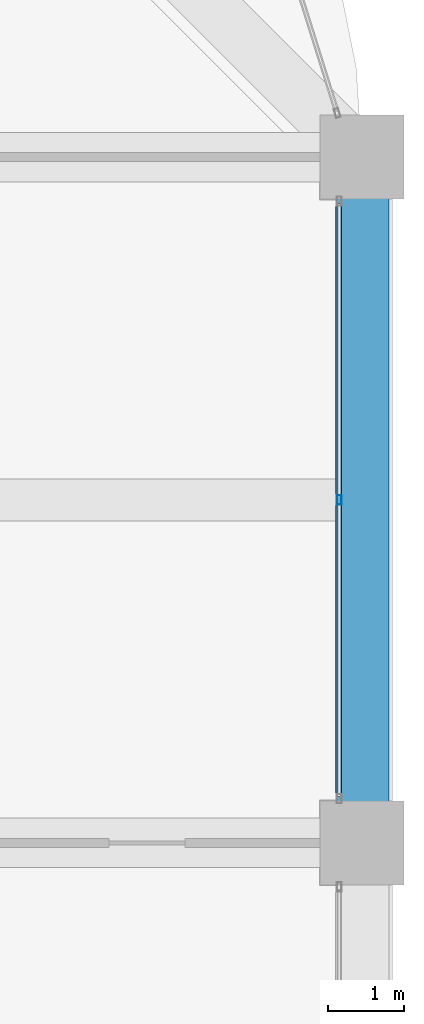
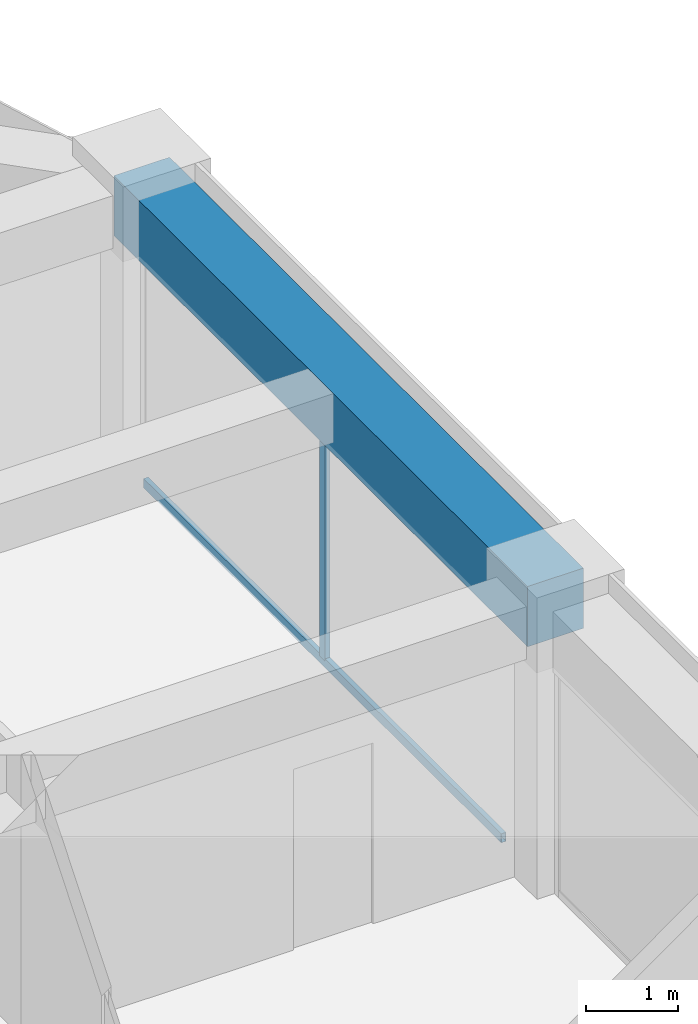
# One storey, part 27 of 45: 2 members, 1 beam, 1 element without a shape of its own.
"""IFC4 building model written with IfcOpenShell, lengths in metres."""

from ifc_helpers import new_model, si_unit, direction, frame, origin, origin_2d, place, context, subcontext, project, spatial, rectangle, hollow_rectangle, extrude, material, material_profile, profile_set, type_object, element, aggregate, save


model = new_model("IFC4")

# Units and contexts
model_context = context("Model", 3, precision=1e-05, world=origin(), true_north=direction((0.0, 1.0)))
body_context = subcontext(model_context, "Body", "Model", "MODEL_VIEW")
ifc_project = project(units=[si_unit("LENGTHUNIT", "METRE"), si_unit("AREAUNIT", "SQUARE_METRE"), si_unit("VOLUMEUNIT", "CUBIC_METRE"), si_unit("PLANEANGLEUNIT", "RADIAN"), si_unit("MASSUNIT", "GRAM", prefix="KILO")], contexts=[model_context])

# Site, building, storey
site_placement = place(None, origin())
site = spatial("IfcSite", under=ifc_project, at=site_placement, CompositionType="ELEMENT")
building_placement = place(site_placement, origin())
building = spatial("IfcBuilding", under=site, at=building_placement, Name="Zorevar Civic Tower", CompositionType="ELEMENT")
storey_placement = place(building_placement, frame((0.0, 0.0, 303.39990234375)))
storey = spatial("IfcBuildingStorey", under=building, at=storey_placement, Name="L74", CompositionType="ELEMENT", Elevation=303.39990234375)

# Curtain wall, members
ifc_material_1 = material(Name="Dark grey solar-control glass in black aluminium frame", Category="aluminium")
curtain_wall_type = type_object("IfcCurtainWallType", Name="Curtain wall CW5 top zone", PredefinedType="NOTDEFINED", material=ifc_material_1)
curtain_wall_placement = place(storey_placement, origin())
curtain_wall = element("IfcCurtainWall", 1, at=curtain_wall_placement, inside=storey, type_object=curtain_wall_type, Name="CW5 L74", PredefinedType="NOTDEFINED")
ifc_material_2 = material(Name="Aluminium, black anodised", Category="aluminium")
ifc_material_profile_1 = material_profile(ifc_material_2, hollow_rectangle(XDim=0.06005859375, YDim=0.1201171875, WallThickness=0.0029296875, at=origin_2d()), Name="AL 120x60x3")
ifc_profile_set_1 = profile_set([ifc_material_profile_1], Name="Aluminium, black anodised")
member_type_1 = type_object("IfcMemberType", Name="CW5 mullion AL 120x60x3", PredefinedType="MULLION", material=ifc_profile_set_1)
member_1_placement = place(storey_placement, frame((53.699951171875, 31.5, 0.06005859375), z_axis=(0.0, 0.0, 1.0), x_axis=(-1.0, 0.0, 0.0)))
member_1 = element("IfcMember", 2, at=member_1_placement, type_object=member_type_1, Name="CW5 mullion 2", PredefinedType="MULLION", context=body_context, shape_type="SweptSolid", body=[
    extrude(hollow_rectangle(XDim=0.06005859375, YDim=0.1201171875, WallThickness=0.0029296875, at=origin_2d()), origin(), (0.0, 0.0, 1.0), 2.89013671875),
])
ifc_material_3 = material(Name="Aluminium, black anodised", Category="aluminium")
ifc_material_profile_2 = material_profile(ifc_material_3, hollow_rectangle(XDim=0.06005859375, YDim=0.1201171875, WallThickness=0.0029296875, at=origin_2d()), Name="AL 120x60x3")
ifc_profile_set_2 = profile_set([ifc_material_profile_2], Name="Aluminium, black anodised")
member_type_2 = type_object("IfcMemberType", Name="CW5 transom AL 120x60x3", PredefinedType="USERDEFINED", material=ifc_profile_set_2)
member_2_placement = place(storey_placement, frame((53.699951171875, 27.610107421875, 0.030029296875), z_axis=(0.0, 1.0, 0.0), x_axis=(-1.0, 0.0, 0.0)))
member_2 = element("IfcMember", 3, at=member_2_placement, type_object=member_type_2, Name="CW5 sill transom", ObjectType="TRANSOM", PredefinedType="USERDEFINED", context=body_context, shape_type="SweptSolid", body=[
    extrude(hollow_rectangle(XDim=0.06005859375, YDim=0.1201171875, WallThickness=0.0029296875, at=origin_2d()), origin(), (0.0, 0.0, 1.0), 7.77978515625),
])
aggregate(curtain_wall, [member_1, member_2])

# Beam
ifc_material_4 = material(Name="Concrete C50/60", Category="concrete")
ifc_material_profile_3 = material_profile(ifc_material_4, rectangle(XDim=0.699951171875, YDim=0.800048828125, at=origin_2d()), Name="RC 700x800")
ifc_profile_set_3 = profile_set([ifc_material_profile_3], Name="Concrete C50/60")
beam_type = type_object("IfcBeamType", Name="Edge beam RC 700x800", PredefinedType="SPANDREL", material=ifc_profile_set_3)
beam_placement = place(storey_placement, frame((54.0, 27.0, 3.35009765625), z_axis=(0.0, 1.0, 0.0), x_axis=(-1.0, 0.0, 0.0)))
element("IfcBeam", 4, at=beam_placement, inside=storey, type_object=beam_type, Name="Edge beam L75", PredefinedType="SPANDREL", context=body_context, shape_type="SweptSolid", body=[
    extrude(rectangle(XDim=0.699951171875, YDim=0.800048828125, at=origin_2d()), origin(), (0.0, 0.0, 1.0), 9.0),
])

save(model, "model.ifc")
